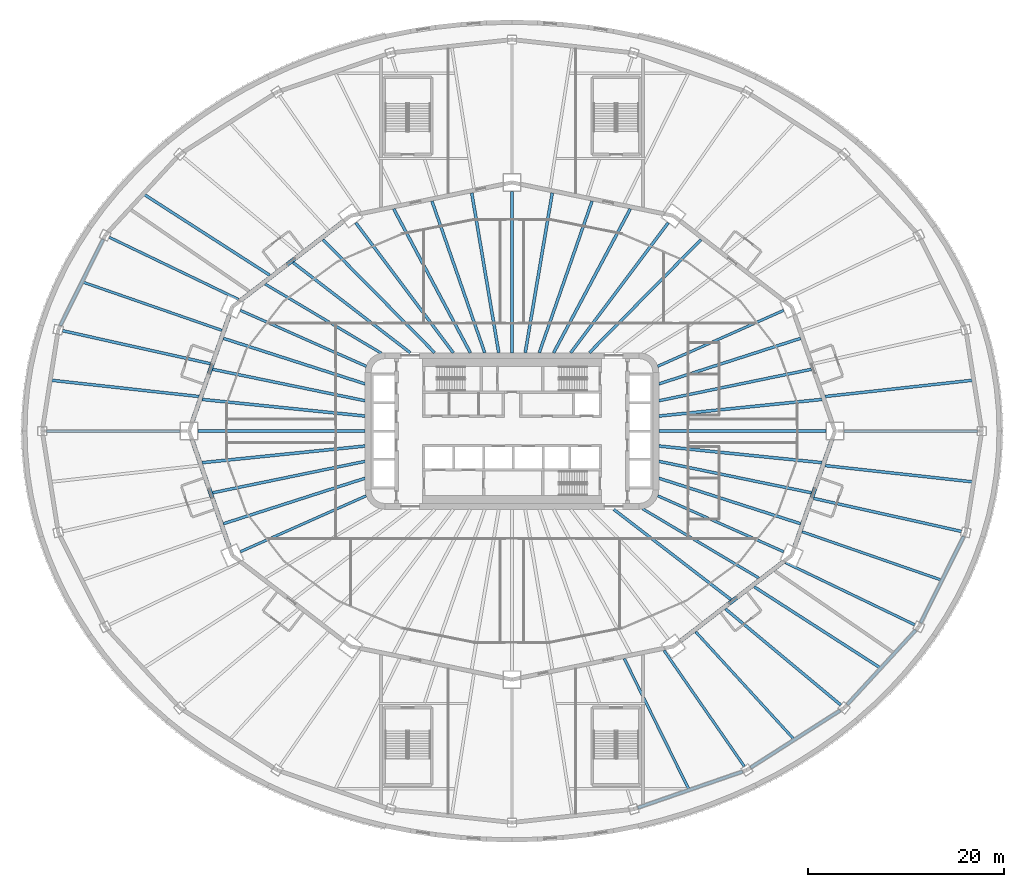
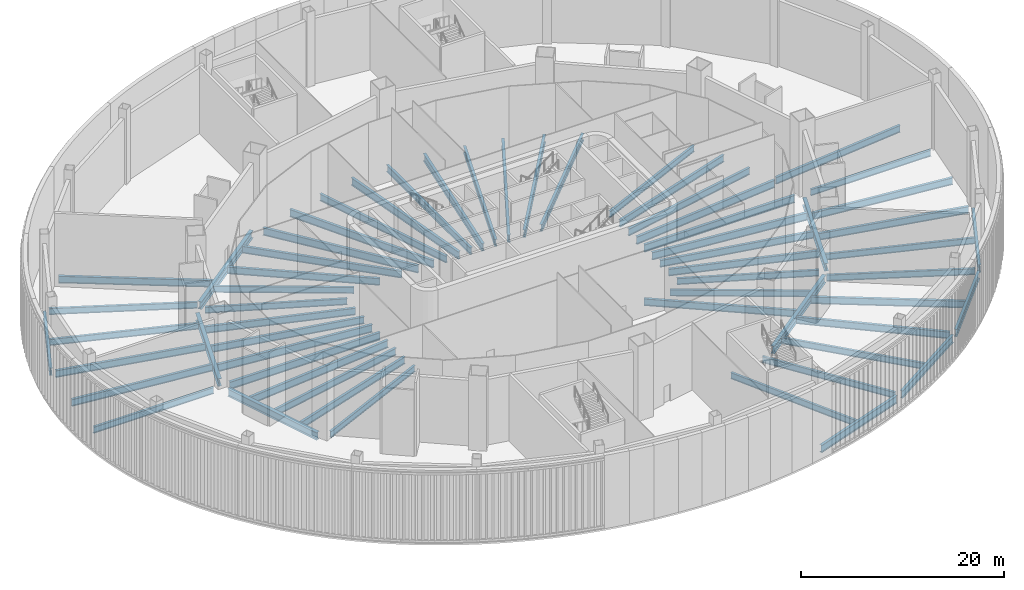
# One storey, part 2 of 35: 60 beams.
"""IFC4 building model written with IfcOpenShell, lengths in metres."""

from ifc_helpers import new_model, si_unit, direction, frame, origin, origin_2d, place, context, subcontext, project, spatial, i_section, extrude, material, material_profile, profile_set, type_object, element, save


model = new_model("IFC4")

# Units and contexts
model_context = context("Model", 3, precision=1e-05, world=origin(), true_north=direction((0.0, 1.0)))
body_context = subcontext(model_context, "Body", "Model", "MODEL_VIEW")
ifc_project = project(units=[si_unit("LENGTHUNIT", "METRE"), si_unit("AREAUNIT", "SQUARE_METRE"), si_unit("VOLUMEUNIT", "CUBIC_METRE"), si_unit("PLANEANGLEUNIT", "RADIAN"), si_unit("MASSUNIT", "GRAM", prefix="KILO")], contexts=[model_context])

# Site, building, storey
site_placement = place(None, origin())
site = spatial("IfcSite", under=ifc_project, at=site_placement, CompositionType="ELEMENT")
building_placement = place(site_placement, origin())
building = spatial("IfcBuilding", under=site, at=building_placement, Name="Sahrelin Media Tower", CompositionType="ELEMENT")
storey_placement = place(building_placement, frame((0.0, 0.0, 17.0)))
storey = spatial("IfcBuildingStorey", under=building, at=storey_placement, Name="L02", CompositionType="ELEMENT", Elevation=17.0)

# Beams
ifc_material = material(Name="Steel S355", Category="steel")
ifc_material_profile_1 = material_profile(ifc_material, i_section(OverallWidth=0.30322265625, OverallDepth=0.903076171875, WebThickness=0.01513671875, FlangeThickness=0.020263671875, FilletRadius=0.01904296875, at=origin_2d()), Name="UB 914x305x201")
ifc_profile_set_1 = profile_set([ifc_material_profile_1], Name="Steel S355")
beam_type_1 = type_object("IfcBeamType", Name="Podium edge girder PE11", PredefinedType="BEAM", material=ifc_profile_set_1)
beam_1_placement = place(storey_placement, frame((-41.76953125, 19.596923828125, -0.651611328125), z_axis=(-0.445112588569, -0.895474613541, 0.0), x_axis=(0.895474613541, -0.445112588569, 0.0)))
element("IfcBeam", 1, at=beam_1_placement, inside=storey, type_object=beam_type_1, Name="Podium edge girder L02-11", PredefinedType="BEAM", context=body_context, shape_type="SweptSolid", body=[
    extrude(i_section(OverallWidth=0.30322265625, OverallDepth=0.903076171875, WebThickness=0.01513671875, FlangeThickness=0.020263671875, FilletRadius=0.01904296875, at=origin_2d()), origin(), (0.0, 0.0, 1.0), 9.859619140625),
])
beam_2_placement = place(storey_placement, frame((12.848876953125, -38.489990234375, -0.651611328125), z_axis=(0.94527240249, 0.32628221694, 0.0), x_axis=(-0.32628221694, 0.94527240249, 0.0)))
element("IfcBeam", 2, at=beam_2_placement, inside=storey, type_object=beam_type_1, Name="Podium edge girder L02-20", PredefinedType="BEAM", context=body_context, shape_type="SweptSolid", body=[
    extrude(i_section(OverallWidth=0.30322265625, OverallDepth=0.903076171875, WebThickness=0.01513671875, FlangeThickness=0.020263671875, FilletRadius=0.01904296875, at=origin_2d()), origin(), (0.0, 0.0, 1.0), 11.329345703125),
])
beam_3_placement = place(storey_placement, frame((24.37939453125, -34.3984375, -0.651611328125), z_axis=(0.842485743715, 0.538718638657, 0.0), x_axis=(-0.538718638657, 0.842485743715, 0.0)))
element("IfcBeam", 3, at=beam_3_placement, inside=storey, type_object=beam_type_1, Name="Podium edge girder L02-21", PredefinedType="BEAM", context=body_context, shape_type="SweptSolid", body=[
    extrude(i_section(OverallWidth=0.30322265625, OverallDepth=0.903076171875, WebThickness=0.01513671875, FlangeThickness=0.020263671875, FilletRadius=0.01904296875, at=origin_2d()), origin(), (0.0, 0.0, 1.0), 10.87744140625),
])
beam_4_placement = place(storey_placement, frame((34.246337890625, -27.952880859375, -0.651611328125), z_axis=(0.677370529771, 0.735642008995, 0.0), x_axis=(-0.735642008995, 0.677370529771, 0.0)))
element("IfcBeam", 4, at=beam_4_placement, inside=storey, type_object=beam_type_1, Name="Podium edge girder L02-22", PredefinedType="BEAM", context=body_context, shape_type="SweptSolid", body=[
    extrude(i_section(OverallWidth=0.30322265625, OverallDepth=0.903076171875, WebThickness=0.01513671875, FlangeThickness=0.020263671875, FilletRadius=0.01904296875, at=origin_2d()), origin(), (0.0, 0.0, 1.0), 10.340087890625),
])
beam_5_placement = place(storey_placement, frame((41.76953125, -19.596923828125, -0.651611328125), z_axis=(0.445112588569, 0.895474613541, 0.0), x_axis=(-0.895474613541, 0.445112588569, 0.0)))
element("IfcBeam", 5, at=beam_5_placement, inside=storey, type_object=beam_type_1, Name="Podium edge girder L02-23", PredefinedType="BEAM", context=body_context, shape_type="SweptSolid", body=[
    extrude(i_section(OverallWidth=0.30322265625, OverallDepth=0.903076171875, WebThickness=0.01513671875, FlangeThickness=0.020263671875, FilletRadius=0.01904296875, at=origin_2d()), origin(), (0.0, 0.0, 1.0), 9.859619140625),
])
ifc_material_profile_2 = material_profile(ifc_material, i_section(OverallWidth=0.41845703125, OverallDepth=0.911865234375, WebThickness=0.019287109375, FlangeThickness=0.031982421875, FilletRadius=0.024169921875, at=origin_2d()), Name="UB 914x419x343")
ifc_profile_set_2 = profile_set([ifc_material_profile_2], Name="Steel S355")
beam_type_2 = type_object("IfcBeamType", Name="Podium ring girder PG12", PredefinedType="BEAM", material=ifc_profile_set_2)
beam_6_placement = place(storey_placement, frame((-17.21337890625, 21.447998046875, -0.656005859375), z_axis=(-0.792445416108, -0.609942835428, 0.0), x_axis=(0.609942835428, -0.792445416108, 0.0)))
element("IfcBeam", 6, at=beam_6_placement, inside=storey, type_object=beam_type_2, Name="Podium girder L02-05", PredefinedType="BEAM", context=body_context, shape_type="SweptSolid", body=[
    extrude(i_section(OverallWidth=0.41845703125, OverallDepth=0.911865234375, WebThickness=0.019287109375, FlangeThickness=0.031982421875, FilletRadius=0.024169921875, at=origin_2d()), origin(), (0.0, 0.0, 1.0), 13.318603515625),
])
for number, where, z_axis, x_axis, name in (
    (7, (-28.875732421875, 11.84716796875, -0.656005859375), (-0.328773851324, -0.944408679908, 0.0), (0.944408679908, -0.328773851324, 0.0), "Podium girder L02-06"),
    (8, (-32.686767578125, -0.89990234375, -0.656005859375), (0.328773851324, -0.944408679908, 0.0), (0.944408679908, 0.328773851324, 0.0), "Podium girder L02-07"),
):
    element("IfcBeam", number, at=place(storey_placement, frame(where, z_axis=z_axis, x_axis=x_axis)), inside=storey, type_object=beam_type_2, Name=name, PredefinedType="BEAM", context=body_context, shape_type="SweptSolid", body=[
        extrude(i_section(OverallWidth=0.41845703125, OverallDepth=0.911865234375, WebThickness=0.019287109375, FlangeThickness=0.031982421875, FilletRadius=0.024169921875, at=origin_2d()), origin(), (0.0, 0.0, 1.0), 11.591552734375),
    ])
beam_7_placement = place(storey_placement, frame((17.21337890625, -21.447998046875, -0.656005859375), z_axis=(0.792445416108, 0.609942835428, 0.0), x_axis=(-0.609942835428, 0.792445416108, 0.0)))
element("IfcBeam", 9, at=beam_7_placement, inside=storey, type_object=beam_type_2, Name="Podium girder L02-11", PredefinedType="BEAM", context=body_context, shape_type="SweptSolid", body=[
    extrude(i_section(OverallWidth=0.41845703125, OverallDepth=0.911865234375, WebThickness=0.019287109375, FlangeThickness=0.031982421875, FilletRadius=0.024169921875, at=origin_2d()), origin(), (0.0, 0.0, 1.0), 13.318603515625),
])
beam_8_placement = place(storey_placement, frame((28.875732421875, -11.84716796875, -0.656005859375), z_axis=(0.328773851324, 0.944408679908, 0.0), x_axis=(-0.944408679908, 0.328773851324, 0.0)))
element("IfcBeam", 10, at=beam_8_placement, inside=storey, type_object=beam_type_2, Name="Podium girder L02-12", PredefinedType="BEAM", context=body_context, shape_type="SweptSolid", body=[
    extrude(i_section(OverallWidth=0.41845703125, OverallDepth=0.911865234375, WebThickness=0.019287109375, FlangeThickness=0.031982421875, FilletRadius=0.024169921875, at=origin_2d()), origin(), (0.0, 0.0, 1.0), 11.591552734375),
])
ifc_material_profile_3 = material_profile(ifc_material, i_section(OverallWidth=0.291748046875, OverallDepth=0.8349609375, WebThickness=0.013916015625, FlangeThickness=0.018798828125, FilletRadius=0.017822265625, at=origin_2d()), Name="UB 838x292x176")
ifc_profile_set_3 = profile_set([ifc_material_profile_3], Name="Steel S355")
beam_type_3 = type_object("IfcBeamType", Name="Radial primary beam PB10", PredefinedType="BEAM", material=ifc_profile_set_3)
beam_9_placement = place(storey_placement, frame((15.0, 3.093505859375, -0.617431640625), z_axis=(0.979386832716, 0.201993643221, 0.0), x_axis=(-0.201993643221, 0.979386832716, 0.0)))
element("IfcBeam", 11, at=beam_9_placement, inside=storey, type_object=beam_type_3, Name="Radial beam L02-02", PredefinedType="BEAM", context=body_context, shape_type="SweptSolid", body=[
    extrude(i_section(OverallWidth=0.291748046875, OverallDepth=0.8349609375, WebThickness=0.013916015625, FlangeThickness=0.018798828125, FilletRadius=0.017822265625, at=origin_2d()), origin(), (0.0, 0.0, 1.0), 15.91064453125),
])
beam_10_placement = place(storey_placement, frame((2.784912109375, 8.0, -0.617431640625), z_axis=(0.328776215552, 0.944407856854, 0.0), x_axis=(-0.944407856854, 0.328776215552, 0.0)))
element("IfcBeam", 12, at=beam_10_placement, inside=storey, type_object=beam_type_3, Name="Radial beam L02-06", PredefinedType="BEAM", context=body_context, shape_type="SweptSolid", body=[
    extrude(i_section(OverallWidth=0.291748046875, OverallDepth=0.8349609375, WebThickness=0.013916015625, FlangeThickness=0.018798828125, FilletRadius=0.017822265625, at=origin_2d()), origin(), (0.0, 0.0, 1.0), 16.41162109375),
])
beam_11_placement = place(storey_placement, frame((0.0, 8.0, -0.617431640625), z_axis=(0.0, 1.0, 0.0), x_axis=(-1.0, 0.0, 0.0)))
element("IfcBeam", 13, at=beam_11_placement, inside=storey, type_object=beam_type_3, Name="Radial beam L02-07", PredefinedType="BEAM", context=body_context, shape_type="SweptSolid", body=[
    extrude(i_section(OverallWidth=0.291748046875, OverallDepth=0.8349609375, WebThickness=0.013916015625, FlangeThickness=0.018798828125, FilletRadius=0.017822265625, at=origin_2d()), origin(), (0.0, 0.0, 1.0), 16.5),
])
beam_12_placement = place(storey_placement, frame((-2.784912109375, 8.0, -0.617431640625), z_axis=(-0.328776215552, 0.944407856854, 0.0), x_axis=(-0.944407856854, -0.328776215552, 0.0)))
element("IfcBeam", 14, at=beam_12_placement, inside=storey, type_object=beam_type_3, Name="Radial beam L02-08", PredefinedType="BEAM", context=body_context, shape_type="SweptSolid", body=[
    extrude(i_section(OverallWidth=0.291748046875, OverallDepth=0.8349609375, WebThickness=0.013916015625, FlangeThickness=0.018798828125, FilletRadius=0.017822265625, at=origin_2d()), origin(), (0.0, 0.0, 1.0), 16.41162109375),
])
beam_13_placement = place(storey_placement, frame((-10.393798828125, 8.0, -0.617431640625), z_axis=(-0.79244196099, 0.609947324335, 0.0), x_axis=(-0.609947324335, -0.79244196099, 0.0)))
element("IfcBeam", 15, at=beam_13_placement, inside=storey, type_object=beam_type_3, Name="Radial beam L02-10", PredefinedType="BEAM", context=body_context, shape_type="SweptSolid", body=[
    extrude(i_section(OverallWidth=0.291748046875, OverallDepth=0.8349609375, WebThickness=0.013916015625, FlangeThickness=0.018798828125, FilletRadius=0.017822265625, at=origin_2d()), origin(), (0.0, 0.0, 1.0), 15.1103515625),
])
for number, where, z_axis, x_axis, name in (
    (16, (-15.0, 3.093505859375, -0.617431640625), (-0.979386832716, 0.201993643221, 0.0), (-0.201993643221, -0.979386832716, 0.0), "Radial beam L02-12"),
    (17, (-15.0, -3.093505859375, -0.617431640625), (-0.979386832716, -0.201993643221, 0.0), (0.201993643221, -0.979386832716, 0.0), "Radial beam L02-14"),
):
    element("IfcBeam", number, at=place(storey_placement, frame(where, z_axis=z_axis, x_axis=x_axis)), inside=storey, type_object=beam_type_3, Name=name, PredefinedType="BEAM", context=body_context, shape_type="SweptSolid", body=[
        extrude(i_section(OverallWidth=0.291748046875, OverallDepth=0.8349609375, WebThickness=0.013916015625, FlangeThickness=0.018798828125, FilletRadius=0.017822265625, at=origin_2d()), origin(), (0.0, 0.0, 1.0), 15.91064453125),
    ])
beam_14_placement = place(storey_placement, frame((10.393798828125, -8.0, -0.617431640625), z_axis=(0.79244196099, -0.609947324335, 0.0), x_axis=(0.609947324335, 0.79244196099, 0.0)))
element("IfcBeam", 18, at=beam_14_placement, inside=storey, type_object=beam_type_3, Name="Radial beam L02-22", PredefinedType="BEAM", context=body_context, shape_type="SweptSolid", body=[
    extrude(i_section(OverallWidth=0.291748046875, OverallDepth=0.8349609375, WebThickness=0.013916015625, FlangeThickness=0.018798828125, FilletRadius=0.017822265625, at=origin_2d()), origin(), (0.0, 0.0, 1.0), 15.1103515625),
])
beam_15_placement = place(storey_placement, frame((15.0, -3.093505859375, -0.617431640625), z_axis=(0.979386832716, -0.201993643221, 0.0), x_axis=(0.201993643221, 0.979386832716, 0.0)))
element("IfcBeam", 19, at=beam_15_placement, inside=storey, type_object=beam_type_3, Name="Radial beam L02-24", PredefinedType="BEAM", context=body_context, shape_type="SweptSolid", body=[
    extrude(i_section(OverallWidth=0.291748046875, OverallDepth=0.8349609375, WebThickness=0.013916015625, FlangeThickness=0.018798828125, FilletRadius=0.017822265625, at=origin_2d()), origin(), (0.0, 0.0, 1.0), 15.91064453125),
])
beam_16_placement = place(storey_placement, frame((-30.825439453125, 6.883056640625, -0.617431640625), z_axis=(-0.975966755314, 0.217919463385, 0.0), x_axis=(-0.217919463385, -0.975966755314, 0.0)))
element("IfcBeam", 20, at=beam_16_placement, inside=storey, type_object=beam_type_3, Name="Radial beam L02-14", PredefinedType="BEAM", context=body_context, shape_type="SweptSolid", body=[
    extrude(i_section(OverallWidth=0.291748046875, OverallDepth=0.8349609375, WebThickness=0.013916015625, FlangeThickness=0.018798828125, FilletRadius=0.017822265625, at=origin_2d()), origin(), (0.0, 0.0, 1.0), 15.4716796875),
])
beam_17_placement = place(storey_placement, frame((21.809326171875, -18.174560546875, -0.617431640625), z_axis=(0.768229105739, -0.640175008178, 0.0), x_axis=(0.640175008178, 0.768229105739, 0.0)))
element("IfcBeam", 21, at=beam_17_placement, inside=storey, type_object=beam_type_3, Name="Radial beam L02-26", PredefinedType="BEAM", context=body_context, shape_type="SweptSolid", body=[
    extrude(i_section(OverallWidth=0.291748046875, OverallDepth=0.8349609375, WebThickness=0.013916015625, FlangeThickness=0.018798828125, FilletRadius=0.017822265625, at=origin_2d()), origin(), (0.0, 0.0, 1.0), 15.342041015625),
])
beam_18_placement = place(storey_placement, frame((30.825439453125, -6.883056640625, -0.617431640625), z_axis=(0.975966755314, -0.217919463385, 0.0), x_axis=(0.217919463385, 0.975966755314, 0.0)))
element("IfcBeam", 22, at=beam_18_placement, inside=storey, type_object=beam_type_3, Name="Radial beam L02-28", PredefinedType="BEAM", context=body_context, shape_type="SweptSolid", body=[
    extrude(i_section(OverallWidth=0.291748046875, OverallDepth=0.8349609375, WebThickness=0.013916015625, FlangeThickness=0.018798828125, FilletRadius=0.017822265625, at=origin_2d()), origin(), (0.0, 0.0, 1.0), 15.4716796875),
])
ifc_material_profile_4 = material_profile(ifc_material, i_section(OverallWidth=0.30322265625, OverallDepth=0.903076171875, WebThickness=0.01513671875, FlangeThickness=0.020263671875, FilletRadius=0.01904296875, at=origin_2d()), Name="UB 914x305x201")
ifc_profile_set_4 = profile_set([ifc_material_profile_4], Name="Steel S355")
beam_type_4 = type_object("IfcBeamType", Name="Radial primary beam PB11", PredefinedType="BEAM", material=ifc_profile_set_4)
beam_19_placement = place(storey_placement, frame((15.0, 0.0, -0.651611328125), z_axis=(1.0, 0.0, 0.0), x_axis=(0.0, 1.0, 0.0)))
element("IfcBeam", 23, at=beam_19_placement, inside=storey, type_object=beam_type_4, Name="Radial beam L02-01", PredefinedType="BEAM", context=body_context, shape_type="SweptSolid", body=[
    extrude(i_section(OverallWidth=0.30322265625, OverallDepth=0.903076171875, WebThickness=0.01513671875, FlangeThickness=0.020263671875, FilletRadius=0.01904296875, at=origin_2d()), origin(), (0.0, 0.0, 1.0), 17.10009765625),
])
for number, where, z_axis, x_axis, name in (
    (24, (6.000732421875, 8.0, -0.651611328125), (0.600054130443, 0.799959399306, 0.0), (-0.799959399306, 0.600054130443, 0.0), "Radial beam L02-05"),
    (25, (-6.000732421875, 8.0, -0.651611328125), (-0.600054130443, 0.799959399306, 0.0), (-0.799959399306, -0.600054130443, 0.0), "Radial beam L02-09"),
):
    element("IfcBeam", number, at=place(storey_placement, frame(where, z_axis=z_axis, x_axis=x_axis)), inside=storey, type_object=beam_type_4, Name=name, PredefinedType="BEAM", context=body_context, shape_type="SweptSolid", body=[
        extrude(i_section(OverallWidth=0.30322265625, OverallDepth=0.903076171875, WebThickness=0.01513671875, FlangeThickness=0.020263671875, FilletRadius=0.01904296875, at=origin_2d()), origin(), (0.0, 0.0, 1.0), 16.59716796875),
    ])
beam_20_placement = place(storey_placement, frame((-15.0, 0.0, -0.651611328125), z_axis=(-1.0, 0.0, 0.0), x_axis=(0.0, -1.0, 0.0)))
element("IfcBeam", 26, at=beam_20_placement, inside=storey, type_object=beam_type_4, Name="Radial beam L02-13", PredefinedType="BEAM", context=body_context, shape_type="SweptSolid", body=[
    extrude(i_section(OverallWidth=0.30322265625, OverallDepth=0.903076171875, WebThickness=0.01513671875, FlangeThickness=0.020263671875, FilletRadius=0.01904296875, at=origin_2d()), origin(), (0.0, 0.0, 1.0), 17.10009765625),
])
ifc_material_profile_5 = material_profile(ifc_material, i_section(OverallWidth=0.26513671875, OverallDepth=0.75390625, WebThickness=0.0126953125, FlangeThickness=0.017578125, FilletRadius=0.0166015625, at=origin_2d()), Name="UB 762x267x147")
ifc_profile_set_5 = profile_set([ifc_material_profile_5], Name="Steel S355")
beam_type_5 = type_object("IfcBeamType", Name="Radial primary beam PB9", PredefinedType="BEAM", material=ifc_profile_set_5)
for number, where, z_axis, x_axis, name in (
    (27, (14.890625, 6.6171875, -0.576904296875), (0.913833000058, 0.406090196883, 0.0), (-0.406090196883, 0.913833000058, 0.0), "Radial beam L02-03"),
    (28, (-14.890625, 6.6171875, -0.576904296875), (-0.913833000058, 0.406090196883, 0.0), (-0.406090196883, -0.913833000058, 0.0), "Radial beam L02-11"),
    (29, (-14.890625, -6.6171875, -0.576904296875), (-0.913833000058, -0.406090196883, 0.0), (0.406090196883, -0.913833000058, 0.0), "Radial beam L02-15"),
    (30, (14.890625, -6.6171875, -0.576904296875), (0.913833000058, -0.406090196883, 0.0), (0.406090196883, 0.913833000058, 0.0), "Radial beam L02-23"),
):
    element("IfcBeam", number, at=place(storey_placement, frame(where, z_axis=z_axis, x_axis=x_axis)), inside=storey, type_object=beam_type_5, Name=name, PredefinedType="BEAM", context=body_context, shape_type="SweptSolid", body=[
        extrude(i_section(OverallWidth=0.26513671875, OverallDepth=0.75390625, WebThickness=0.0126953125, FlangeThickness=0.017578125, FilletRadius=0.0166015625, at=origin_2d()), origin(), (0.0, 0.0, 1.0), 14.078857421875),
    ])
beam_21_placement = place(storey_placement, frame((33.89990234375, 0.0, -0.576904296875), z_axis=(1.0, 0.0, 0.0), x_axis=(0.0, 1.0, 0.0)))
element("IfcBeam", 31, at=beam_21_placement, inside=storey, type_object=beam_type_5, Name="Radial beam L02-01", PredefinedType="BEAM", context=body_context, shape_type="SweptSolid", body=[
    extrude(i_section(OverallWidth=0.26513671875, OverallDepth=0.75390625, WebThickness=0.0126953125, FlangeThickness=0.017578125, FilletRadius=0.0166015625, at=origin_2d()), origin(), (0.0, 0.0, 1.0), 13.650146484375),
])
beam_22_placement = place(storey_placement, frame((-27.950439453125, 13.44775390625, -0.576904296875), z_axis=(-0.901130102072, 0.433548773657, 0.0), x_axis=(-0.433548773657, -0.901130102072, 0.0)))
element("IfcBeam", 32, at=beam_22_placement, inside=storey, type_object=beam_type_5, Name="Radial beam L02-13", PredefinedType="BEAM", context=body_context, shape_type="SweptSolid", body=[
    extrude(i_section(OverallWidth=0.26513671875, OverallDepth=0.75390625, WebThickness=0.0126953125, FlangeThickness=0.017578125, FilletRadius=0.0166015625, at=origin_2d()), origin(), (0.0, 0.0, 1.0), 14.6630859375),
])
beam_23_placement = place(storey_placement, frame((-33.89990234375, 0.0, -0.576904296875), z_axis=(-1.0, 0.0, 0.0), x_axis=(0.0, -1.0, 0.0)))
element("IfcBeam", 33, at=beam_23_placement, inside=storey, type_object=beam_type_5, Name="Radial beam L02-15", PredefinedType="BEAM", context=body_context, shape_type="SweptSolid", body=[
    extrude(i_section(OverallWidth=0.26513671875, OverallDepth=0.75390625, WebThickness=0.0126953125, FlangeThickness=0.017578125, FilletRadius=0.0166015625, at=origin_2d()), origin(), (0.0, 0.0, 1.0), 13.650146484375),
])
beam_24_placement = place(storey_placement, frame((15.527099609375, -22.411376953125, -0.576904296875), z_axis=(0.569493278726, -0.821995988729, 0.0), x_axis=(0.821995988729, 0.569493278726, 0.0)))
element("IfcBeam", 34, at=beam_24_placement, inside=storey, type_object=beam_type_5, Name="Radial beam L02-25", PredefinedType="BEAM", context=body_context, shape_type="SweptSolid", body=[
    extrude(i_section(OverallWidth=0.26513671875, OverallDepth=0.75390625, WebThickness=0.0126953125, FlangeThickness=0.017578125, FilletRadius=0.0166015625, at=origin_2d()), origin(), (0.0, 0.0, 1.0), 14.427734375),
])
beam_25_placement = place(storey_placement, frame((27.950439453125, -13.44775390625, -0.576904296875), z_axis=(0.901130102072, -0.433548773657, 0.0), x_axis=(0.433548773657, 0.901130102072, 0.0)))
element("IfcBeam", 35, at=beam_25_placement, inside=storey, type_object=beam_type_5, Name="Radial beam L02-27", PredefinedType="BEAM", context=body_context, shape_type="SweptSolid", body=[
    extrude(i_section(OverallWidth=0.26513671875, OverallDepth=0.75390625, WebThickness=0.0126953125, FlangeThickness=0.017578125, FilletRadius=0.0166015625, at=origin_2d()), origin(), (0.0, 0.0, 1.0), 14.6630859375),
])
ifc_material_profile_6 = material_profile(ifc_material, i_section(OverallWidth=0.291748046875, OverallDepth=0.8349609375, WebThickness=0.013916015625, FlangeThickness=0.018798828125, FilletRadius=0.017822265625, at=origin_2d()), Name="UB 838x292x176")
ifc_profile_set_6 = profile_set([ifc_material_profile_6], Name="Steel S355")
beam_type_6 = type_object("IfcBeamType", Name="Radial secondary beam SB10", PredefinedType="BEAM", material=ifc_profile_set_6)
beam_26_placement = place(storey_placement, frame((15.0, 4.81787109375, -0.617431640625), z_axis=(0.952096340592, 0.305798231244, 0.0), x_axis=(-0.305798231244, 0.952096340592, 0.0)))
element("IfcBeam", 36, at=beam_26_placement, inside=storey, type_object=beam_type_6, Name="Secondary beam L02-02", PredefinedType="BEAM", context=body_context, shape_type="SweptSolid", body=[
    extrude(i_section(OverallWidth=0.291748046875, OverallDepth=0.8349609375, WebThickness=0.013916015625, FlangeThickness=0.018798828125, FilletRadius=0.017822265625, at=origin_2d()), origin(), (0.0, 0.0, 1.0), 15.210693359375),
])
for number, where, z_axis, x_axis, name in (
    (37, (7.901123046875, 8.0, -0.617431640625), (0.702706329063, 0.711480017355, 0.0), (-0.711480017355, 0.702706329063, 0.0), "Secondary beam L02-04"),
    (38, (-7.901123046875, 8.0, -0.617431640625), (-0.702706329063, 0.711480017355, 0.0), (-0.711480017355, -0.702706329063, 0.0), "Secondary beam L02-09"),
):
    element("IfcBeam", number, at=place(storey_placement, frame(where, z_axis=z_axis, x_axis=x_axis)), inside=storey, type_object=beam_type_6, Name=name, PredefinedType="BEAM", context=body_context, shape_type="SweptSolid", body=[
        extrude(i_section(OverallWidth=0.291748046875, OverallDepth=0.8349609375, WebThickness=0.013916015625, FlangeThickness=0.018798828125, FilletRadius=0.017822265625, at=origin_2d()), origin(), (0.0, 0.0, 1.0), 16.250732421875),
    ])
for number, where, z_axis, x_axis, name in (
    (39, (-15.0, 4.81787109375, -0.617431640625), (-0.952096340592, 0.305798231244, 0.0), (-0.305798231244, -0.952096340592, 0.0), "Secondary beam L02-11"),
    (40, (-15.0, -4.81787109375, -0.617431640625), (-0.952096340592, -0.305798231244, 0.0), (0.305798231244, -0.952096340592, 0.0), "Secondary beam L02-14"),
    (41, (15.0, -4.81787109375, -0.617431640625), (0.952096340592, -0.305798231244, 0.0), (0.305798231244, 0.952096340592, 0.0), "Secondary beam L02-23"),
):
    element("IfcBeam", number, at=place(storey_placement, frame(where, z_axis=z_axis, x_axis=x_axis)), inside=storey, type_object=beam_type_6, Name=name, PredefinedType="BEAM", context=body_context, shape_type="SweptSolid", body=[
        extrude(i_section(OverallWidth=0.291748046875, OverallDepth=0.8349609375, WebThickness=0.013916015625, FlangeThickness=0.018798828125, FilletRadius=0.017822265625, at=origin_2d()), origin(), (0.0, 0.0, 1.0), 15.210693359375),
    ])
beam_27_placement = place(storey_placement, frame((31.9931640625, 3.528564453125, -0.617431640625), z_axis=(0.993973950123, 0.109616542901, 0.0), x_axis=(-0.109616542901, 0.993973950123, 0.0)))
element("IfcBeam", 42, at=beam_27_placement, inside=storey, type_object=beam_type_6, Name="Secondary beam L02-01", PredefinedType="BEAM", context=body_context, shape_type="SweptSolid", body=[
    extrude(i_section(OverallWidth=0.291748046875, OverallDepth=0.8349609375, WebThickness=0.013916015625, FlangeThickness=0.018798828125, FilletRadius=0.017822265625, at=origin_2d()), origin(), (0.0, 0.0, 1.0), 15.125),
])
beam_28_placement = place(storey_placement, frame((-24.744140625, 15.91552734375, -0.617431640625), z_axis=(-0.84104292767, 0.540968385228, 0.0), x_axis=(-0.540968385228, -0.84104292767, 0.0)))
element("IfcBeam", 43, at=beam_28_placement, inside=storey, type_object=beam_type_6, Name="Secondary beam L02-10", PredefinedType="BEAM", context=body_context, shape_type="SweptSolid", body=[
    extrude(i_section(OverallWidth=0.291748046875, OverallDepth=0.8349609375, WebThickness=0.013916015625, FlangeThickness=0.018798828125, FilletRadius=0.017822265625, at=origin_2d()), origin(), (0.0, 0.0, 1.0), 15.218505859375),
])
beam_29_placement = place(storey_placement, frame((-31.9931640625, 3.528564453125, -0.617431640625), z_axis=(-0.993973950123, 0.109616542901, 0.0), x_axis=(-0.109616542901, -0.993973950123, 0.0)))
element("IfcBeam", 44, at=beam_29_placement, inside=storey, type_object=beam_type_6, Name="Secondary beam L02-12", PredefinedType="BEAM", context=body_context, shape_type="SweptSolid", body=[
    extrude(i_section(OverallWidth=0.291748046875, OverallDepth=0.8349609375, WebThickness=0.013916015625, FlangeThickness=0.018798828125, FilletRadius=0.017822265625, at=origin_2d()), origin(), (0.0, 0.0, 1.0), 15.125),
])
beam_30_placement = place(storey_placement, frame((24.744140625, -15.91552734375, -0.617431640625), z_axis=(0.84104292767, -0.540968385228, 0.0), x_axis=(0.540968385228, 0.84104292767, 0.0)))
element("IfcBeam", 45, at=beam_30_placement, inside=storey, type_object=beam_type_6, Name="Secondary beam L02-22", PredefinedType="BEAM", context=body_context, shape_type="SweptSolid", body=[
    extrude(i_section(OverallWidth=0.291748046875, OverallDepth=0.8349609375, WebThickness=0.013916015625, FlangeThickness=0.018798828125, FilletRadius=0.017822265625, at=origin_2d()), origin(), (0.0, 0.0, 1.0), 15.218505859375),
])
beam_31_placement = place(storey_placement, frame((31.9931640625, -3.528564453125, -0.617431640625), z_axis=(0.993973950123, -0.109616542901, 0.0), x_axis=(0.109616542901, 0.993973950123, 0.0)))
element("IfcBeam", 46, at=beam_31_placement, inside=storey, type_object=beam_type_6, Name="Secondary beam L02-24", PredefinedType="BEAM", context=body_context, shape_type="SweptSolid", body=[
    extrude(i_section(OverallWidth=0.291748046875, OverallDepth=0.8349609375, WebThickness=0.013916015625, FlangeThickness=0.018798828125, FilletRadius=0.017822265625, at=origin_2d()), origin(), (0.0, 0.0, 1.0), 15.125),
])
ifc_material_profile_7 = material_profile(ifc_material, i_section(OverallWidth=0.30322265625, OverallDepth=0.903076171875, WebThickness=0.01513671875, FlangeThickness=0.020263671875, FilletRadius=0.01904296875, at=origin_2d()), Name="UB 914x305x201")
ifc_profile_set_7 = profile_set([ifc_material_profile_7], Name="Steel S355")
beam_type_7 = type_object("IfcBeamType", Name="Radial secondary beam SB11", PredefinedType="BEAM", material=ifc_profile_set_7)
beam_32_placement = place(storey_placement, frame((15.0, 1.53076171875, -0.651611328125), z_axis=(0.994833571419, 0.10151928476, 0.0), x_axis=(-0.10151928476, 0.994833571419, 0.0)))
element("IfcBeam", 47, at=beam_32_placement, inside=storey, type_object=beam_type_7, Name="Secondary beam L02-01", PredefinedType="BEAM", context=body_context, shape_type="SweptSolid", body=[
    extrude(i_section(OverallWidth=0.30322265625, OverallDepth=0.903076171875, WebThickness=0.01513671875, FlangeThickness=0.020263671875, FilletRadius=0.01904296875, at=origin_2d()), origin(), (0.0, 0.0, 1.0), 16.740234375),
])
beam_33_placement = place(storey_placement, frame((4.259765625, 8.0, -0.651611328125), z_axis=(0.469997453325, 0.882667770947, 0.0), x_axis=(-0.882667770947, 0.469997453325, 0.0)))
element("IfcBeam", 48, at=beam_33_placement, inside=storey, type_object=beam_type_7, Name="Secondary beam L02-05", PredefinedType="BEAM", context=body_context, shape_type="SweptSolid", body=[
    extrude(i_section(OverallWidth=0.30322265625, OverallDepth=0.903076171875, WebThickness=0.01513671875, FlangeThickness=0.020263671875, FilletRadius=0.01904296875, at=origin_2d()), origin(), (0.0, 0.0, 1.0), 16.6474609375),
])
for number, where, z_axis, x_axis, name in (
    (49, (1.352783203125, 8.0, -0.651611328125), (0.166704262426, 0.986006941603, 0.0), (-0.986006941603, 0.166704262426, 0.0), "Secondary beam L02-06"),
    (50, (-1.352783203125, 8.0, -0.651611328125), (-0.166704262426, 0.986006941603, 0.0), (-0.986006941603, -0.166704262426, 0.0), "Secondary beam L02-07"),
):
    element("IfcBeam", number, at=place(storey_placement, frame(where, z_axis=z_axis, x_axis=x_axis)), inside=storey, type_object=beam_type_7, Name=name, PredefinedType="BEAM", context=body_context, shape_type="SweptSolid", body=[
        extrude(i_section(OverallWidth=0.30322265625, OverallDepth=0.903076171875, WebThickness=0.01513671875, FlangeThickness=0.020263671875, FilletRadius=0.01904296875, at=origin_2d()), origin(), (0.0, 0.0, 1.0), 16.569580078125),
    ])
beam_34_placement = place(storey_placement, frame((-4.259765625, 8.0, -0.651611328125), z_axis=(-0.469997453325, 0.882667770947, 0.0), x_axis=(-0.882667770947, -0.469997453325, 0.0)))
element("IfcBeam", 51, at=beam_34_placement, inside=storey, type_object=beam_type_7, Name="Secondary beam L02-08", PredefinedType="BEAM", context=body_context, shape_type="SweptSolid", body=[
    extrude(i_section(OverallWidth=0.30322265625, OverallDepth=0.903076171875, WebThickness=0.01513671875, FlangeThickness=0.020263671875, FilletRadius=0.01904296875, at=origin_2d()), origin(), (0.0, 0.0, 1.0), 16.6474609375),
])
for number, where, z_axis, x_axis, name in (
    (52, (-15.0, 1.53076171875, -0.651611328125), (-0.994833571419, 0.10151928476, 0.0), (-0.10151928476, -0.994833571419, 0.0), "Secondary beam L02-12"),
    (53, (-15.0, -1.53076171875, -0.651611328125), (-0.994833571419, -0.10151928476, 0.0), (0.10151928476, -0.994833571419, 0.0), "Secondary beam L02-13"),
    (54, (15.0, -1.53076171875, -0.651611328125), (0.994833571419, -0.10151928476, 0.0), (0.10151928476, 0.994833571419, 0.0), "Secondary beam L02-24"),
):
    element("IfcBeam", number, at=place(storey_placement, frame(where, z_axis=z_axis, x_axis=x_axis)), inside=storey, type_object=beam_type_7, Name=name, PredefinedType="BEAM", context=body_context, shape_type="SweptSolid", body=[
        extrude(i_section(OverallWidth=0.30322265625, OverallDepth=0.903076171875, WebThickness=0.01513671875, FlangeThickness=0.020263671875, FilletRadius=0.01904296875, at=origin_2d()), origin(), (0.0, 0.0, 1.0), 16.740234375),
    ])
ifc_material_profile_8 = material_profile(ifc_material, i_section(OverallWidth=0.26513671875, OverallDepth=0.75390625, WebThickness=0.0126953125, FlangeThickness=0.017578125, FilletRadius=0.0166015625, at=origin_2d()), Name="UB 762x267x147")
ifc_profile_set_8 = profile_set([ifc_material_profile_8], Name="Steel S355")
beam_type_8 = type_object("IfcBeamType", Name="Radial secondary beam SB9", PredefinedType="BEAM", material=ifc_profile_set_8)
for number, where, z_axis, x_axis, name in (
    (55, (-13.356201171875, 7.953125, -0.576904296875), (-0.859199265621, 0.511641106594, 0.0), (-0.511641106594, -0.859199265621, 0.0), "Secondary beam L02-10"),
    (56, (13.356201171875, -7.953125, -0.576904296875), (0.859199265621, -0.511641106594, 0.0), (0.511641106594, 0.859199265621, 0.0), "Secondary beam L02-22"),
):
    element("IfcBeam", number, at=place(storey_placement, frame(where, z_axis=z_axis, x_axis=x_axis)), inside=storey, type_object=beam_type_8, Name=name, PredefinedType="BEAM", context=body_context, shape_type="SweptSolid", body=[
        extrude(i_section(OverallWidth=0.26513671875, OverallDepth=0.75390625, WebThickness=0.0126953125, FlangeThickness=0.017578125, FilletRadius=0.0166015625, at=origin_2d()), origin(), (0.0, 0.0, 1.0), 13.810791015625),
    ])
beam_35_placement = place(storey_placement, frame((-29.640380859375, 10.287109375, -0.576904296875), z_axis=(-0.944713020182, 0.32789832189, 0.0), x_axis=(-0.32789832189, -0.944713020182, 0.0)))
element("IfcBeam", 57, at=beam_35_placement, inside=storey, type_object=beam_type_8, Name="Secondary beam L02-11", PredefinedType="BEAM", context=body_context, shape_type="SweptSolid", body=[
    extrude(i_section(OverallWidth=0.26513671875, OverallDepth=0.75390625, WebThickness=0.0126953125, FlangeThickness=0.017578125, FilletRadius=0.0166015625, at=origin_2d()), origin(), (0.0, 0.0, 1.0), 14.974609375),
])
beam_36_placement = place(storey_placement, frame((11.47412109375, -23.247314453125, -0.576904296875), z_axis=(0.442602611298, -0.896717864477, 0.0), x_axis=(0.896717864477, 0.442602611298, 0.0)))
element("IfcBeam", 58, at=beam_36_placement, inside=storey, type_object=beam_type_8, Name="Secondary beam L02-20", PredefinedType="BEAM", context=body_context, shape_type="SweptSolid", body=[
    extrude(i_section(OverallWidth=0.26513671875, OverallDepth=0.75390625, WebThickness=0.0126953125, FlangeThickness=0.017578125, FilletRadius=0.0166015625, at=origin_2d()), origin(), (0.0, 0.0, 1.0), 14.8232421875),
])
beam_37_placement = place(storey_placement, frame((18.7685546875, -20.514892578125, -0.576904296875), z_axis=(0.675004282666, -0.737813810106, 0.0), x_axis=(0.737813810106, 0.675004282666, 0.0)))
element("IfcBeam", 59, at=beam_37_placement, inside=storey, type_object=beam_type_8, Name="Secondary beam L02-21", PredefinedType="BEAM", context=body_context, shape_type="SweptSolid", body=[
    extrude(i_section(OverallWidth=0.26513671875, OverallDepth=0.75390625, WebThickness=0.0126953125, FlangeThickness=0.017578125, FilletRadius=0.0166015625, at=origin_2d()), origin(), (0.0, 0.0, 1.0), 14.7861328125),
])
beam_38_placement = place(storey_placement, frame((29.640380859375, -10.287109375, -0.576904296875), z_axis=(0.944713020182, -0.32789832189, 0.0), x_axis=(0.32789832189, 0.944713020182, 0.0)))
element("IfcBeam", 60, at=beam_38_placement, inside=storey, type_object=beam_type_8, Name="Secondary beam L02-23", PredefinedType="BEAM", context=body_context, shape_type="SweptSolid", body=[
    extrude(i_section(OverallWidth=0.26513671875, OverallDepth=0.75390625, WebThickness=0.0126953125, FlangeThickness=0.017578125, FilletRadius=0.0166015625, at=origin_2d()), origin(), (0.0, 0.0, 1.0), 14.974609375),
])

save(model, "model.ifc")
